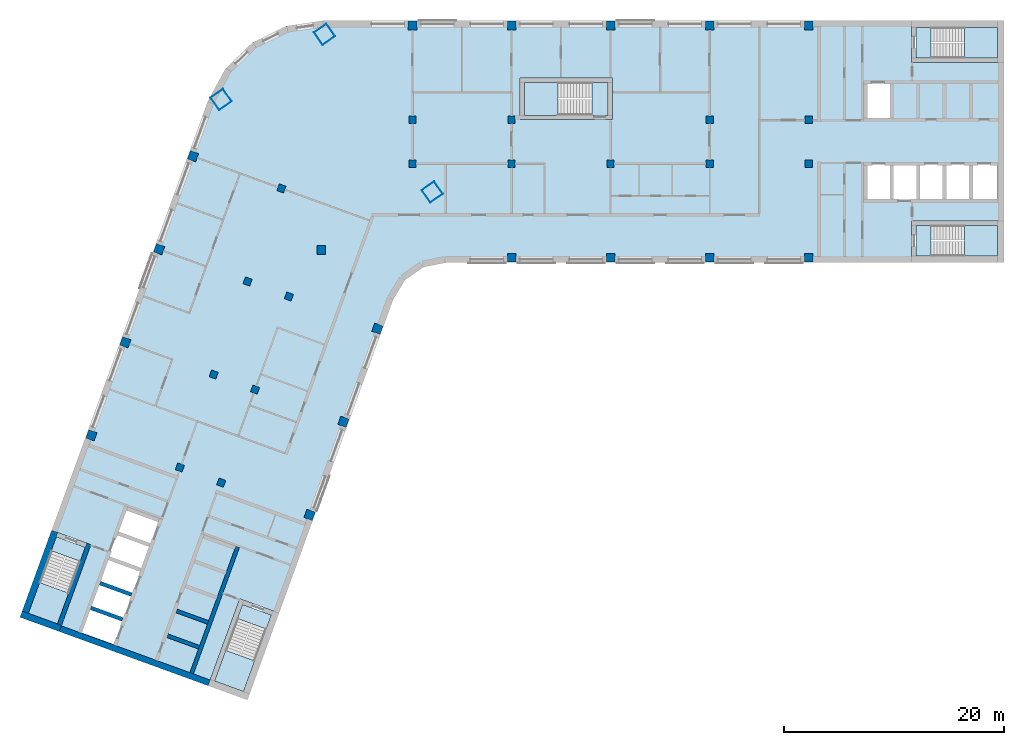
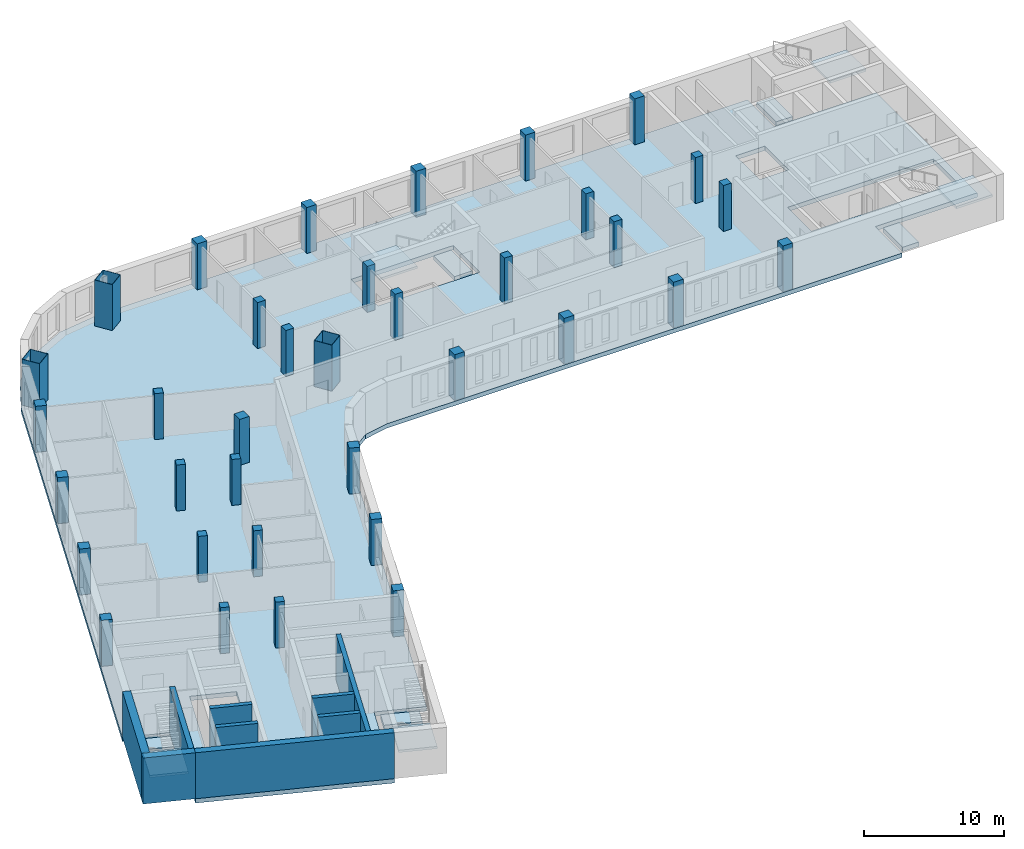
# One storey, part 1 of 8: 36 columns, 11 slabs, 9 walls, 5 elements without a shape of their own.
"""IFC4 building model written with IfcOpenShell, lengths in metres."""

from ifc_helpers import new_model, si_unit, direction, frame, frame_2d, origin, origin_2d, place, context, subcontext, project, spatial, polyline, rectangle, hollow_rectangle, outline, extrude, material, layer, layer_set, material_profile, profile_set, type_object, element, aggregate, save


model = new_model("IFC4")

# Units and contexts
model_context = context("Model", 3, precision=1e-05, world=origin(), true_north=direction((0.0, 1.0)))
body_context = subcontext(model_context, "Body", "Model", "MODEL_VIEW")
ifc_project = project(units=[si_unit("LENGTHUNIT", "METRE"), si_unit("AREAUNIT", "SQUARE_METRE"), si_unit("VOLUMEUNIT", "CUBIC_METRE"), si_unit("PLANEANGLEUNIT", "RADIAN"), si_unit("MASSUNIT", "GRAM", prefix="KILO")], contexts=[model_context])

# Site, building, storey
site_placement = place(None, origin())
site = spatial("IfcSite", under=ifc_project, at=site_placement, CompositionType="ELEMENT")
building_placement = place(site_placement, origin())
building = spatial("IfcBuilding", under=site, at=building_placement, Name="Skarvind Civic Tower", CompositionType="ELEMENT")
storey_placement = place(building_placement, frame((0.0, 0.0, 146.5)))
storey = spatial("IfcBuildingStorey", under=building, at=storey_placement, Name="L34", CompositionType="ELEMENT", Elevation=146.5)

# Columns
ifc_material_1 = material(Name="Concrete C60", Category="concrete")
ifc_material_profile_1 = material_profile(ifc_material_1, rectangle(XDim=0.64990234375, YDim=0.64990234375, at=origin_2d()), Name="RC-650x650")
ifc_profile_set_1 = profile_set([ifc_material_profile_1], Name="Concrete C60")
column_type_1 = type_object("IfcColumnType", Name="Column RC-650x650 C60", PredefinedType="COLUMN", material=ifc_profile_set_1)
for number, where, z_axis, x_axis, name in (
    (1, (54.25, 130.0, 0.0), (0.0, 0.0, 1.0), (1.0, 0.0, 0.0), "Column wing 1 north inner 02 L34"),
    (2, (63.25, 130.0, 0.0), (0.0, 0.0, 1.0), (1.0, 0.0, 0.0), "Column wing 1 north inner 03 L34"),
    (3, (81.25, 130.0, 0.0), (0.0, 0.0, 1.0), (1.0, 0.0, 0.0), "Column wing 1 north inner 05 L34"),
    (4, (90.25, 130.0, 0.0), (0.0, 0.0, 1.0), (1.0, 0.0, 0.0), "Column wing 1 north inner 06 L34"),
    (5, (54.25, 126.0, 0.0), (0.0, 0.0, 1.0), (1.0, 0.0, 0.0), "Column wing 1 south inner 02 L34"),
    (6, (63.25, 126.0, 0.0), (0.0, 0.0, 1.0), (1.0, 0.0, 0.0), "Column wing 1 south inner 03 L34"),
    (7, (72.25, 126.0, 0.0), (0.0, 0.0, 1.0), (1.0, 0.0, 0.0), "Column wing 1 south inner 04 L34"),
    (8, (81.25, 126.0, 0.0), (0.0, 0.0, 1.0), (1.0, 0.0, 0.0), "Column wing 1 south inner 05 L34"),
    (9, (90.25, 126.0, 0.0), (0.0, 0.0, 1.0), (1.0, 0.0, 0.0), "Column wing 1 south inner 06 L34"),
    (10, (43.005615234375, 113.92529296875, 0.0), (0.0, 0.0, 1.0), (-0.342020143326, -0.939692620786, 0.0), "Column wing 2 left inner 02 L34"),
    (11, (39.927490234375, 105.468017578125, 0.0), (0.0, 0.0, 1.0), (-0.342020143326, -0.939692620786, 0.0), "Column wing 2 left inner 03 L34"),
    (12, (36.84912109375, 97.010986328125, 0.0), (0.0, 0.0, 1.0), (-0.342020143326, -0.939692620786, 0.0), "Column wing 2 left inner 04 L34"),
    (13, (42.324951171875, 123.750732421875, 0.0), (0.0, 0.0, 1.0), (-0.342020143326, -0.939692620786, 0.0), "Column wing 2 right inner 01 L34"),
    (14, (39.246826171875, 115.29345703125, 0.0), (0.0, 0.0, 1.0), (-0.342020143326, -0.939692620786, 0.0), "Column wing 2 right inner 02 L34"),
    (15, (36.168701171875, 106.836181640625, 0.0), (0.0, 0.0, 1.0), (-0.342020143326, -0.939692620786, 0.0), "Column wing 2 right inner 03 L34"),
    (16, (33.090576171875, 98.37890625, 0.0), (0.0, 0.0, 1.0), (-0.342020143326, -0.939692620786, 0.0), "Column wing 2 right inner 04 L34"),
):
    element("IfcColumn", number, at=place(storey_placement, frame(where, z_axis=z_axis, x_axis=x_axis)), inside=storey, type_object=column_type_1, Name=name, PredefinedType="COLUMN", context=body_context, shape_type="SweptSolid", body=[
        extrude(rectangle(XDim=0.64990234375, YDim=0.64990234375, at=origin_2d()), origin(), (0.0, 0.0, 1.0), 4.0),
    ])
ifc_material_profile_2 = material_profile(ifc_material_1, rectangle(XDim=0.800048828125, YDim=0.800048828125, at=origin_2d()), Name="RC-800x800")
ifc_profile_set_2 = profile_set([ifc_material_profile_2], Name="Concrete C60")
column_type_2 = type_object("IfcColumnType", Name="Column RC-800x800 C60", PredefinedType="COLUMN", material=ifc_profile_set_2)
for number, where, z_axis, x_axis, name in (
    (17, (54.25, 138.550048828125, 0.0), (0.0, 0.0, 1.0), (1.0, 0.0, 0.0), "Column wing 1 north perimeter 02 L34"),
    (18, (63.25, 138.550048828125, 0.0), (0.0, 0.0, 1.0), (1.0, 0.0, 0.0), "Column wing 1 north perimeter 03 L34"),
    (19, (72.25, 138.550048828125, 0.0), (0.0, 0.0, 1.0), (1.0, 0.0, 0.0), "Column wing 1 north perimeter 04 L34"),
    (20, (81.25, 138.550048828125, 0.0), (0.0, 0.0, 1.0), (1.0, 0.0, 0.0), "Column wing 1 north perimeter 05 L34"),
    (21, (90.25, 138.550048828125, 0.0), (0.0, 0.0, 1.0), (1.0, 0.0, 0.0), "Column wing 1 north perimeter 06 L34"),
    (22, (45.95166015625, 118.151611328125, 0.0), (0.0, 0.0, 1.0), (1.0, 0.0, 0.0), "Column wing 1 south perimeter 01 L34"),
    (23, (63.25, 117.449951171875, 0.0), (0.0, 0.0, 1.0), (1.0, 0.0, 0.0), "Column wing 1 south perimeter 03 L34"),
    (24, (72.25, 117.449951171875, 0.0), (0.0, 0.0, 1.0), (1.0, 0.0, 0.0), "Column wing 1 south perimeter 04 L34"),
    (25, (81.25, 117.449951171875, 0.0), (0.0, 0.0, 1.0), (1.0, 0.0, 0.0), "Column wing 1 south perimeter 05 L34"),
    (26, (90.25, 117.449951171875, 0.0), (0.0, 0.0, 1.0), (1.0, 0.0, 0.0), "Column wing 1 south perimeter 06 L34"),
    (27, (51.0400390625, 111.0009765625, 0.0), (0.0, 0.0, 1.0), (-0.342020143326, -0.939692620786, 0.0), "Column wing 2 left perimeter 02 L34"),
    (28, (47.961669921875, 102.5439453125, 0.0), (0.0, 0.0, 1.0), (-0.342020143326, -0.939692620786, 0.0), "Column wing 2 left perimeter 03 L34"),
    (29, (44.883544921875, 94.086669921875, 0.0), (0.0, 0.0, 1.0), (-0.342020143326, -0.939692620786, 0.0), "Column wing 2 left perimeter 04 L34"),
    (30, (34.29052734375, 126.6748046875, 0.0), (0.0, 0.0, 1.0), (-0.342020143326, -0.939692620786, 0.0), "Column wing 2 right perimeter 01 L34"),
    (31, (31.21240234375, 118.2177734375, 0.0), (0.0, 0.0, 1.0), (-0.342020143326, -0.939692620786, 0.0), "Column wing 2 right perimeter 02 L34"),
    (32, (28.13427734375, 109.760498046875, 0.0), (0.0, 0.0, 1.0), (-0.342020143326, -0.939692620786, 0.0), "Column wing 2 right perimeter 03 L34"),
    (33, (25.05615234375, 101.30322265625, 0.0), (0.0, 0.0, 1.0), (-0.342020143326, -0.939692620786, 0.0), "Column wing 2 right perimeter 04 L34"),
):
    element("IfcColumn", number, at=place(storey_placement, frame(where, z_axis=z_axis, x_axis=x_axis)), inside=storey, type_object=column_type_2, Name=name, PredefinedType="COLUMN", context=body_context, shape_type="SweptSolid", body=[
        extrude(rectangle(XDim=0.800048828125, YDim=0.800048828125, at=origin_2d()), origin(), (0.0, 0.0, 1.0), 4.0),
    ])
ifc_material_2 = material(Name="Composite concrete-filled steel tube, Steel SM355 with Concrete C80", Category="concrete")
ifc_material_profile_3 = material_profile(ifc_material_2, hollow_rectangle(XDim=1.39990234375, YDim=1.39990234375, WallThickness=0.031982421875, at=origin_2d()), Name="BOX-1400x1400x32")
ifc_profile_set_3 = profile_set([ifc_material_profile_3], Name="Composite concrete-filled steel tube, Steel SM355 with Concrete C80")
column_type_3 = type_object("IfcColumnType", Name="Mega column BOX-1400x1400x32 filled C80", PredefinedType="COLUMN", material=ifc_profile_set_3)
for number, where, z_axis, x_axis, name in (
    (34, (36.845947265625, 131.837646484375, 0.0), (0.0, 0.0, 1.0), (0.573576436351, -0.819152044289, 0.0), "Mega column 1 L34"),
    (35, (46.2470703125, 137.762451171875, 0.0), (0.0, 0.0, 1.0), (0.573576436351, -0.819152044289, 0.0), "Mega column 2 L34"),
    (36, (56.0361328125, 123.43017578125, 0.0), (0.0, 0.0, 1.0), (0.573576436351, -0.819152044289, 0.0), "Mega column 4 L34"),
):
    element("IfcColumn", number, at=place(storey_placement, frame(where, z_axis=z_axis, x_axis=x_axis)), inside=storey, type_object=column_type_3, Name=name, PredefinedType="COLUMN", context=body_context, shape_type="SweptSolid", body=[
        extrude(hollow_rectangle(XDim=1.39990234375, YDim=1.39990234375, WallThickness=0.031982421875, at=origin_2d()), origin(), (0.0, 0.0, 1.0), 4.0),
    ])

# Slabs
ifc_material_3 = material(Name="Concrete C50", Category="concrete")
ifc_layer_1 = layer(ifc_material_3, 0.375)
ifc_layer_set_1 = layer_set([ifc_layer_1], Name="Floor slab 375 C50")
slab_type_1 = type_object("IfcSlabType", Name="Floor slab 375 C50", PredefinedType="FLOOR", material=ifc_layer_set_1)
slab_1_placement = place(storey_placement, frame((0.0, 0.0, -0.375)))
element("IfcSlab", 37, at=slab_1_placement, inside=storey, type_object=slab_type_1, Name="Floor slab L34 1", PredefinedType="FLOOR", context=body_context, shape_type="SweptSolid", body=[
    extrude(outline(polyline([(99.60009765625, 117.0), (99.60009765625, 120.800048828125), (108.0, 120.800048828125), (108.0, 135.199951171875), (99.60009765625, 135.199951171875), (99.60009765625, 139.0), (46.095458984375, 139.0), (42.739501953125, 138.5009765625), (39.6943359375, 137.005615234375), (37.24755859375, 134.6552734375), (35.630615234375, 131.672607421875), (19.41748046875, 87.126708984375), (21.435302734375, 92.6708984375), (25.006103515625, 91.371337890625), (22.13330078125, 83.477783203125), (36.886474609375, 78.108154296875), (35.664794921875, 78.552734375), (38.53759765625, 86.4462890625), (42.108642578125, 85.146484375), (40.0908203125, 79.602294921875), (40.0908203125, 79.602294921875), (52.493896484375, 113.68017578125), (53.560791015625, 115.421630859375), (55.23388671875, 116.593017578125), (57.235107421875, 117.0), (99.60009765625, 117.0)]), holes=[polyline([(25.671630859375, 87.9365234375), (26.492431640625, 90.19189453125), (27.313232421875, 92.447021484375), (28.134033203125, 94.702392578125), (31.3291015625, 93.53955078125), (30.50830078125, 91.2841796875), (29.6875, 89.029052734375), (28.866455078125, 86.773681640625), (28.866455078125, 86.773681640625), (28.045654296875, 84.5185546875), (27.224853515625, 82.26318359375), (24.02978515625, 83.426025390625), (24.8505859375, 85.681396484375), (25.671630859375, 87.9365234375), (25.671630859375, 87.9365234375)]), polyline([(64.0, 130.0), (64.0, 133.800048828125), (72.39990234375, 133.800048828125), (72.39990234375, 130.0), (64.0, 130.0)]), polyline([(97.800048828125, 126.0), (100.199951171875, 126.0), (102.60009765625, 126.0), (105.0, 126.0), (107.39990234375, 126.0), (107.39990234375, 122.60009765625), (105.0, 122.60009765625), (102.60009765625, 122.60009765625), (100.199951171875, 122.60009765625), (97.800048828125, 122.60009765625), (95.39990234375, 122.60009765625), (95.39990234375, 126.0), (97.800048828125, 126.0)]), polyline([(97.800048828125, 133.39990234375), (97.800048828125, 130.0), (95.39990234375, 130.0), (95.39990234375, 133.39990234375), (97.800048828125, 133.39990234375)])]), origin(), (0.0, 0.0, 1.0), 0.375),
])
ifc_material_4 = material(Name="Concrete C40/50", Category="concrete")
ifc_layer_2 = layer(ifc_material_4, 0.375)
ifc_layer_set_2 = layer_set([ifc_layer_2], Name="Stair floor landing slab 375")
slab_type_2 = type_object("IfcSlabType", Name="Stair floor landing slab 375", PredefinedType="LANDING", material=ifc_layer_set_2)
slab_2_placement = place(storey_placement, frame((0.0, 0.0, -0.375)))
element("IfcSlab", 38, at=slab_2_placement, inside=storey, type_object=slab_type_2, Name="Stair floor landing", PredefinedType="LANDING", context=body_context, shape_type="SweptSolid", body=[
    extrude(outline(polyline([(101.3505859375, 138.400634765625), (101.3505859375, 135.599365234375), (99.99951171875, 135.599365234375), (99.99951171875, 138.400634765625), (101.3505859375, 138.400634765625)])), origin(), (0.0, 0.0, 1.0), 0.375),
])
slab_3_placement = place(storey_placement, frame((0.0, 0.0, -0.375)))
element("IfcSlab", 39, at=slab_3_placement, inside=storey, type_object=slab_type_2, Name="Stair floor landing", PredefinedType="LANDING", context=body_context, shape_type="SweptSolid", body=[
    extrude(outline(polyline([(101.3505859375, 120.400634765625), (101.3505859375, 117.599365234375), (99.99951171875, 117.599365234375), (99.99951171875, 120.400634765625), (101.3505859375, 120.400634765625)])), origin(), (0.0, 0.0, 1.0), 0.375),
])
slab_4_placement = place(storey_placement, frame((0.0, 0.0, -0.375)))
element("IfcSlab", 40, at=slab_4_placement, inside=storey, type_object=slab_type_2, Name="Stair floor landing", PredefinedType="LANDING", context=body_context, shape_type="SweptSolid", body=[
    extrude(outline(polyline([(40.946533203125, 83.70654296875), (38.314208984375, 84.66455078125), (38.7763671875, 85.934326171875), (41.40869140625, 84.976318359375), (40.946533203125, 83.70654296875)])), origin(), (0.0, 0.0, 1.0), 0.375),
])
slab_5_placement = place(storey_placement, frame((0.0, 0.0, -0.375)))
element("IfcSlab", 41, at=slab_5_placement, inside=storey, type_object=slab_type_2, Name="Stair floor landing", PredefinedType="LANDING", context=body_context, shape_type="SweptSolid", body=[
    extrude(outline(polyline([(24.0322265625, 89.863037109375), (21.39990234375, 90.821044921875), (21.862060546875, 92.090576171875), (24.494384765625, 91.132568359375), (24.0322265625, 89.863037109375)])), origin(), (0.0, 0.0, 1.0), 0.375),
])
slab_6_placement = place(storey_placement, frame((0.0, 0.0, -0.375)))
element("IfcSlab", 42, at=slab_6_placement, inside=storey, type_object=slab_type_2, Name="Stair floor landing", PredefinedType="LANDING", context=body_context, shape_type="SweptSolid", body=[
    extrude(outline(polyline([(70.54931640625, 130.3994140625), (70.54931640625, 133.400634765625), (72.00048828125, 133.400634765625), (72.00048828125, 130.3994140625), (70.54931640625, 130.3994140625)])), origin(), (0.0, 0.0, 1.0), 0.375),
])

# Stair, slab
stair_type_1 = type_object("IfcStairType", Name="Exit stair, half-turn, concrete", PredefinedType="HALF_TURN_STAIR", material=ifc_material_4)
stair_1_placement = place(storey_placement, origin())
stair_1 = element("IfcStair", 43, at=stair_1_placement, inside=storey, type_object=stair_type_1, Name="Exit stair C1S", PredefinedType="HALF_TURN_STAIR")
ifc_layer_3 = layer(ifc_material_4, 0.199951171875)
ifc_layer_set_3 = layer_set([ifc_layer_3], Name="Stair half landing slab")
slab_type_3 = type_object("IfcSlabType", Name="Stair half landing slab", PredefinedType="LANDING", material=ifc_layer_set_3)
slab_7_placement = place(storey_placement, frame((0.0, 0.0, 1.800048828125)))
slab_7 = element("IfcSlab", 44, at=slab_7_placement, type_object=slab_type_3, Name="ST-C1S landing 1", PredefinedType="LANDING", context=body_context, shape_type="SweptSolid", body=[
    extrude(outline(polyline([(104.429443359375, 135.599365234375), (104.429443359375, 138.400634765625), (107.400634765625, 138.400634765625), (107.400634765625, 135.599365234375), (104.429443359375, 135.599365234375)])), origin(), (0.0, 0.0, 1.0), 0.199951171875),
])
aggregate(stair_1, [slab_7])

stair_2_placement = place(storey_placement, origin())
stair_2 = element("IfcStair", 45, at=stair_2_placement, inside=storey, type_object=stair_type_1, Name="Exit stair C1N", PredefinedType="HALF_TURN_STAIR")
slab_8_placement = place(storey_placement, frame((0.0, 0.0, 1.800048828125)))
slab_8 = element("IfcSlab", 46, at=slab_8_placement, type_object=slab_type_3, Name="ST-C1N landing 1", PredefinedType="LANDING", context=body_context, shape_type="SweptSolid", body=[
    extrude(outline(polyline([(104.429443359375, 117.599365234375), (104.429443359375, 120.400634765625), (107.400634765625, 120.400634765625), (107.400634765625, 117.599365234375), (104.429443359375, 117.599365234375)])), origin(), (0.0, 0.0, 1.0), 0.199951171875),
])
aggregate(stair_2, [slab_8])

stair_3_placement = place(storey_placement, origin())
stair_3 = element("IfcStair", 47, at=stair_3_placement, inside=storey, type_object=stair_type_1, Name="Exit stair C2S", PredefinedType="HALF_TURN_STAIR")
slab_9_placement = place(storey_placement, frame((0.0, 0.0, 1.800048828125)))
slab_9 = element("IfcSlab", 48, at=slab_9_placement, type_object=slab_type_3, Name="ST-C2S landing 1", PredefinedType="LANDING", context=body_context, shape_type="SweptSolid", body=[
    extrude(outline(polyline([(37.26123046875, 81.771484375), (39.8935546875, 80.8134765625), (38.87744140625, 78.021484375), (36.2451171875, 78.9794921875), (37.26123046875, 81.771484375)])), origin(), (0.0, 0.0, 1.0), 0.199951171875),
])
aggregate(stair_3, [slab_9])

stair_4_placement = place(storey_placement, origin())
stair_4 = element("IfcStair", 49, at=stair_4_placement, inside=storey, type_object=stair_type_1, Name="Exit stair C2N", PredefinedType="HALF_TURN_STAIR")
slab_10_placement = place(storey_placement, frame((0.0, 0.0, 1.800048828125)))
slab_10 = element("IfcSlab", 50, at=slab_10_placement, type_object=slab_type_3, Name="ST-C2N landing 1", PredefinedType="LANDING", context=body_context, shape_type="SweptSolid", body=[
    extrude(outline(polyline([(20.346923828125, 87.927734375), (22.97900390625, 86.9697265625), (21.962890625, 84.177734375), (19.33056640625, 85.1357421875), (20.346923828125, 87.927734375)])), origin(), (0.0, 0.0, 1.0), 0.199951171875),
])
aggregate(stair_4, [slab_10])

stair_type_2 = type_object("IfcStairType", Name="Exit stair 1450, half-turn, concrete", PredefinedType="HALF_TURN_STAIR", material=ifc_material_4)
stair_5_placement = place(storey_placement, origin())
stair_5 = element("IfcStair", 51, at=stair_5_placement, inside=storey, type_object=stair_type_2, Name="Exit stair CM", PredefinedType="HALF_TURN_STAIR")
slab_11_placement = place(storey_placement, frame((0.0, 0.0, 1.800048828125)))
slab_11 = element("IfcSlab", 52, at=slab_11_placement, type_object=slab_type_3, Name="ST-CM landing 1", PredefinedType="LANDING", context=body_context, shape_type="SweptSolid", body=[
    extrude(outline(polyline([(67.470703125, 133.400634765625), (67.470703125, 130.3994140625), (64.3994140625, 130.3994140625), (64.3994140625, 133.400634765625), (67.470703125, 133.400634765625)])), origin(), (0.0, 0.0, 1.0), 0.199951171875),
])
aggregate(stair_5, [slab_11])

# Walls
ifc_layer_4 = layer(ifc_material_1, 0.35009765625)
ifc_layer_set_4 = layer_set([ifc_layer_4], Name="Core wall 350 C60")
wall_type_1 = type_object("IfcWallType", Name="Core wall 350 C60", PredefinedType="SHEAR", material=ifc_layer_set_4)
wall_1_placement = place(storey_placement, frame((34.161376953125, 79.685302734375, 0.0), z_axis=(0.0, 0.0, 1.0), x_axis=(0.34201563943, 0.939694260058, 0.0)))
element("IfcWall", 53, at=wall_1_placement, inside=storey, type_object=wall_type_1, Name="Core wall C2 south lift row back L34", PredefinedType="SHEAR", context=body_context, shape_type="SweptSolid", body=[
    extrude(rectangle(XDim=12.22509765625, YDim=0.35009765625, at=frame_2d((6.112548828125, 0.0))), origin(), (0.0, 0.0, 1.0), 4.0),
])
wall_2_placement = place(storey_placement, frame((34.8349609375, 82.04736328125, 0.0), z_axis=(0.0, 0.0, 1.0), x_axis=(-0.939683528043, 0.3420451244, 0.0)))
element("IfcWall", 54, at=wall_2_placement, inside=storey, type_object=wall_type_1, Name="Core wall C2 south lift row division 1 L34", PredefinedType="SHEAR", context=body_context, shape_type="SweptSolid", body=[
    extrude(rectangle(XDim=3.050048828125, YDim=0.35009765625, at=frame_2d((1.52490234375, 0.0))), origin(), (0.0, 0.0, 1.0), 4.0),
])
wall_3_placement = place(storey_placement, frame((35.65576171875, 84.302734375, 0.0), z_axis=(0.0, 0.0, 1.0), x_axis=(-0.939709254651, 0.341974438698, 0.0)))
element("IfcWall", 55, at=wall_3_placement, inside=storey, type_object=wall_type_1, Name="Core wall C2 south lift row division 2 L34", PredefinedType="SHEAR", context=body_context, shape_type="SweptSolid", body=[
    extrude(rectangle(XDim=3.0498046875, YDim=0.35009765625, at=frame_2d((1.52490234375, 0.0))), origin(), (0.0, 0.0, 1.0), 4.0),
])
for number, where, z_axis, x_axis, name in (
    (56, (27.881103515625, 84.578369140625, 0.0), (0.0, 0.0, 1.0), (-0.939683528043, 0.3420451244, 0.0), "Core wall C2 north lift row division 1 L34"),
    (57, (28.7021484375, 86.83349609375, 0.0), (0.0, 0.0, 1.0), (-0.939692892192, 0.342019397644, 0.0), "Core wall C2 north lift row division 2 L34"),
):
    element("IfcWall", number, at=place(storey_placement, frame(where, z_axis=z_axis, x_axis=x_axis)), inside=storey, type_object=wall_type_1, Name=name, PredefinedType="SHEAR", context=body_context, shape_type="SweptSolid", body=[
        extrude(rectangle(XDim=3.050048828125, YDim=0.35009765625, at=frame_2d((1.52490234375, 0.0))), origin(), (0.0, 0.0, 1.0), 4.0),
    ])
ifc_layer_5 = layer(ifc_material_1, 0.39990234375)
ifc_layer_set_5 = layer_set([ifc_layer_5], Name="Core wall 400 C60")
wall_type_2 = type_object("IfcWallType", Name="Core wall 400 C60", PredefinedType="SHEAR", material=ifc_layer_set_5)
wall_4_placement = place(storey_placement, frame((22.150390625, 84.110107421875, 0.0), z_axis=(0.0, 0.0, 1.0), x_axis=(0.342016982193, 0.939693771338, 0.0)))
element("IfcWall", 58, at=wall_4_placement, inside=storey, type_object=wall_type_2, Name="Core wall C2 north stair inner L34", PredefinedType="SHEAR", context=body_context, shape_type="SweptSolid", body=[
    extrude(rectangle(XDim=7.800048828125, YDim=0.39990234375, at=frame_2d((3.89990234375, 0.0))), origin(), (0.0, 0.0, 1.0), 4.0),
])
ifc_layer_6 = layer(ifc_material_1, 0.550048828125)
ifc_layer_set_6 = layer_set([ifc_layer_6], Name="Core wall 550 C60")
wall_type_3 = type_object("IfcWallType", Name="Core wall 550 C60", PredefinedType="SHEAR", material=ifc_layer_set_6)
wall_5_placement = place(storey_placement, frame((35.7587890625, 78.811279296875, 0.0), z_axis=(0.0, 0.0, 1.0), x_axis=(-0.939692894512, 0.342019391267, 0.0)))
element("IfcWall", 59, at=wall_5_placement, inside=storey, type_object=wall_type_3, Name="Core wall C2 tip between the stairs L34", PredefinedType="SHEAR", context=body_context, shape_type="SweptSolid", body=[
    extrude(rectangle(XDim=14.39990234375, YDim=0.550048828125, at=frame_2d((7.199951171875, 0.0))), origin(), (0.0, 0.0, 1.0), 4.0),
])
ifc_layer_7 = layer(ifc_material_1, 0.60009765625)
ifc_layer_set_7 = layer_set([ifc_layer_7], Name="Core wall 600 C60")
wall_type_4 = type_object("IfcWallType", Name="Core wall 600 C60", PredefinedType="SHEAR", material=ifc_layer_set_7)
wall_6_placement = place(storey_placement, frame((22.23583984375, 83.759765625, 0.0), z_axis=(0.0, 0.0, 1.0), x_axis=(-0.939680822529, 0.342052557032, 0.0)))
element("IfcWall", 60, at=wall_6_placement, inside=storey, type_object=wall_type_4, Name="Core wall C2 tip at the north stair L34", PredefinedType="SHEAR", context=body_context, shape_type="SweptSolid", body=[
    extrude(rectangle(XDim=3.800048828125, YDim=0.60009765625, at=frame_2d((1.89990234375, 0.0))), origin(), (0.0, 0.0, 1.0), 4.0),
])
wall_7_placement = place(storey_placement, frame((19.049560546875, 85.23876953125, 0.0), z_axis=(0.0, 0.0, 1.0), x_axis=(0.342016982193, 0.939693771338, 0.0)))
element("IfcWall", 61, at=wall_7_placement, inside=storey, type_object=wall_type_4, Name="Core wall C2 north side at the stair L34", PredefinedType="SHEAR", context=body_context, shape_type="SweptSolid", body=[
    extrude(rectangle(XDim=7.800048828125, YDim=0.60009765625, at=frame_2d((3.89990234375, 0.0))), origin(), (0.0, 0.0, 1.0), 4.0),
])

save(model, "model.ifc")
